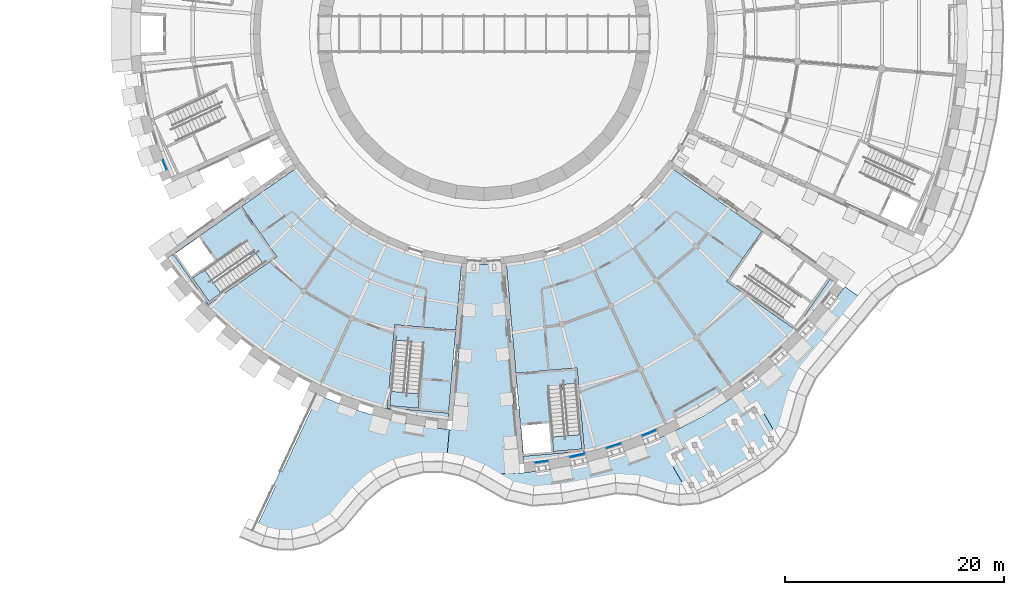
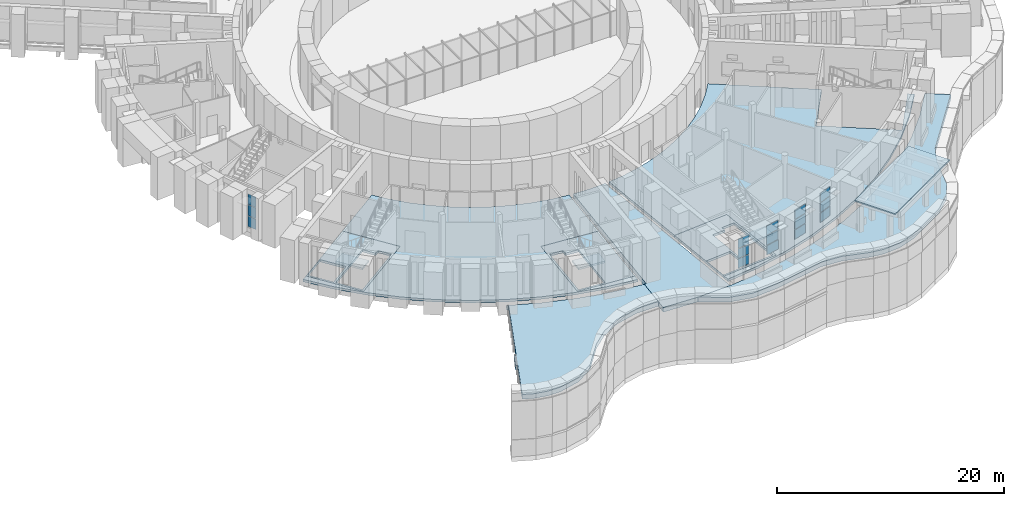
# One storey, part 32 of 85: 15 plates, 12 slabs, 8 elements without a shape of their own.
"""IFC4 building model written with IfcOpenShell, lengths in metres."""

import ifcopenshell
import ifcopenshell.guid

model = None  # the IFC model being written
_history = None  # IfcOwnerHistory: only IFC2X3 demands one
_inside = {}  # id of a spatial element -> (the spatial element, [elements in it])
_under = {}  # id of a project, library or spatial element -> (it, [spatial elements below it])
_declared = {}  # id of a project -> (the project, [libraries it declares])
_typed = {}  # id of a type object -> (the type object, [elements of that type])
_made_of = {}  # id of a material, layer set ... -> (it, [elements and type objects made of it])


def new_model(schema):
    """Start an empty IFC model of exactly this schema.

    Asked for "IFC4X3", IfcOpenShell would pick the latest addendum, in which some entities
    have other attributes; the version numbers below select the first issue.
    IFC2X3 requires an IfcOwnerHistory on every rooted entity: one is made here for all.
    """
    global model, _history
    if schema == "IFC4X3":
        model = ifcopenshell.file(schema_version=(4, 3, 0, 0))
    else:
        model = ifcopenshell.file(schema=schema)
    _inside.clear()
    _under.clear()
    _declared.clear()
    _typed.clear()
    _made_of.clear()
    _history = None
    if model.schema == "IFC2X3":
        org = make("IfcOrganization", Name="unknown")
        user = make(
            "IfcPersonAndOrganization",
            ThePerson=make("IfcPerson", FamilyName="unknown"),
            TheOrganization=org,
        )
        app = make(
            "IfcApplication",
            ApplicationDeveloper=org,
            Version="unknown",
            ApplicationFullName="unknown",
            ApplicationIdentifier="unknown",
        )
        _history = make(
            "IfcOwnerHistory",
            OwningUser=user,
            OwningApplication=app,
            ChangeAction="ADDED",
            CreationDate=0,
        )
    return model


def make(cls, **values):
    """One entity of the class cls with the attributes given. An attribute that is None is left unset."""
    return model.create_entity(
        cls, **{name: value for name, value in values.items() if value is not None}
    )


def rooted(cls, **values):
    """An entity with a GlobalId (a new one), such as an element, a storey or a relation."""
    return make(cls, GlobalId=ifcopenshell.guid.new(), OwnerHistory=_history, **values)


def si_unit(unit_type, name, prefix=None):
    """IfcSIUnit, for example si_unit("LENGTHUNIT", "METRE", prefix="MILLI")."""
    return make("IfcSIUnit", UnitType=unit_type, Prefix=prefix, Name=name)


def assignment(units):
    """IfcUnitAssignment: the units of a project."""
    return None if units is None else make("IfcUnitAssignment", Units=units)


def point(xyz):
    """IfcCartesianPoint."""
    return None if xyz is None else make("IfcCartesianPoint", Coordinates=xyz)


def direction(xyz):
    """IfcDirection."""
    return None if xyz is None else make("IfcDirection", DirectionRatios=xyz)


def frame(location, z_axis=None, x_axis=None):
    """IfcAxis2Placement3D, a coordinate frame: its origin and axes. An axis left out is left unset."""
    return make(
        "IfcAxis2Placement3D",
        Location=point(location),
        Axis=direction(z_axis),
        RefDirection=direction(x_axis),
    )


def frame_2d(location, x_axis=None):
    """IfcAxis2Placement2D, a coordinate frame in the plane: its origin and x axis."""
    return make(
        "IfcAxis2Placement2D", Location=point(location), RefDirection=direction(x_axis)
    )


def origin():
    """The frame at (0, 0, 0) with its axes left unset."""
    return frame((0.0, 0.0, 0.0))


def origin_2d():
    """The frame at (0, 0) in the plane with its x axis left unset."""
    return frame_2d((0.0, 0.0))


def place(relative_to, where):
    """IfcLocalPlacement: puts the frame where relative to a parent placement (None: the world)."""
    return make(
        "IfcLocalPlacement", PlacementRelTo=relative_to, RelativePlacement=where
    )


def context(
    kind, dimensions, precision=None, world=None, true_north=None, identifier=None
):
    """IfcGeometricRepresentationContext, for example the 3D "Model" context."""
    return make(
        "IfcGeometricRepresentationContext",
        ContextIdentifier=identifier,
        ContextType=kind,
        CoordinateSpaceDimension=dimensions,
        Precision=precision,
        WorldCoordinateSystem=world,
        TrueNorth=true_north,
    )


def subcontext(parent, identifier, kind, view, scale=None):
    """IfcGeometricRepresentationSubContext, for example "Body" below "Model"."""
    return make(
        "IfcGeometricRepresentationSubContext",
        ContextIdentifier=identifier,
        ContextType=kind,
        ParentContext=parent,
        TargetScale=scale,
        TargetView=view,
    )


def project(units=None, contexts=None):
    """IfcProject with its units and contexts."""
    return rooted(
        "IfcProject",
        Name="project",
        RepresentationContexts=contexts,
        UnitsInContext=assignment(units),
    )


def spatial(cls, under=None, at=None, **own):
    """A site, building, storey or space (cls), placed at a placement, below another one or the project."""
    s = rooted(cls, ObjectPlacement=at, **own)
    if under is not None:
        _under.setdefault(under.id(), (under, []))[1].append(s)
    return s


def polyline(points):
    """IfcPolyline through the points."""
    return make("IfcPolyline", Points=[point(p) for p in points])


def profile(cls, at=None, kind="AREA", **sizes):
    """A parametric profile (cls). Its sizes go by their IFC names, for example OverallWidth=200.0."""
    return make(cls, ProfileType=kind, Position=at, **sizes)


def rectangle(**sizes):
    """IfcRectangleProfileDef."""
    return profile("IfcRectangleProfileDef", **sizes)


def outline(outer, holes=None, kind="AREA"):
    """IfcArbitraryClosedProfileDef: a profile drawn as a closed curve; with holes, ...WithVoids."""
    if holes is None:
        return make("IfcArbitraryClosedProfileDef", ProfileType=kind, OuterCurve=outer)
    return make(
        "IfcArbitraryProfileDefWithVoids",
        ProfileType=kind,
        OuterCurve=outer,
        InnerCurves=holes,
    )


def extrude(swept, where, along, depth):
    """IfcExtrudedAreaSolid: the profile swept, set in the frame where, extruded along a direction by depth."""
    return make(
        "IfcExtrudedAreaSolid",
        SweptArea=swept,
        Position=where,
        ExtrudedDirection=direction(along),
        Depth=depth,
    )


def shape(context_of_items, identifier, shape_type, items):
    """IfcShapeRepresentation: the items that make up one representation, for example the "Body"."""
    return make(
        "IfcShapeRepresentation",
        ContextOfItems=context_of_items,
        RepresentationIdentifier=identifier,
        RepresentationType=shape_type,
        Items=items,
    )


def material(Name=None, Category=None):
    """IfcMaterial."""
    return make("IfcMaterial", Name=Name, Category=Category)


def layer(
    of_material, thickness, ventilated=None, Name=None, Category=None, Priority=None
):
    """IfcMaterialLayer: one layer of a wall or slab, of a material (None: an air gap)."""
    return make(
        "IfcMaterialLayer",
        Material=of_material,
        LayerThickness=thickness,
        IsVentilated=ventilated,
        Name=Name,
        Category=Category,
        Priority=Priority,
    )


def layer_set(layers, Name=None):
    """IfcMaterialLayerSet."""
    return make("IfcMaterialLayerSet", MaterialLayers=layers, LayerSetName=Name)


def made_of(thing, what):
    """Note that an element or type object is made of a material, layer set ...; save() writes the relation."""
    if what is not None:
        _made_of.setdefault(what.id(), (what, []))[1].append(thing)
    return thing


def type_object(cls, material=None, **own):
    """A type object (cls), such as IfcWallType, which elements share."""
    return made_of(rooted(cls, **own), material)


def element(
    cls,
    number,
    at=None,
    inside=None,
    cuts=None,
    type_object=None,
    material=None,
    context=None,
    identifier="Body",
    shape_type=None,
    held_by="IfcProductDefinitionShape",
    body=None,
    shapes=None,
    **own,
):
    """One element of the class cls, such as IfcWall. Its Tag is "e" and its number.

    at: its placement. inside: the storey or other place that contains it. cuts: it is an
    opening in that element (IfcRelVoidsElement). A single representation is given by context,
    identifier, shape_type and body (its items); several are given by shapes. held_by: the class
    of the entity that holds the representations. save() writes the other relations.
    """
    e = rooted(cls, Tag="e%d" % number, ObjectPlacement=at, **own)
    if body is not None:
        shapes = [shape(context, identifier, shape_type, body)]
    if shapes is not None:
        e.Representation = make(held_by, Representations=shapes)
    if inside is not None:
        _inside.setdefault(inside.id(), (inside, []))[1].append(e)
    if cuts is not None:
        rooted(
            "IfcRelVoidsElement", RelatingBuildingElement=cuts, RelatedOpeningElement=e
        )
    if type_object is not None:
        _typed.setdefault(type_object.id(), (type_object, []))[1].append(e)
    return made_of(e, material)


def aggregate(whole, parts):
    """IfcRelAggregates: a whole, such as a stair, and the parts it consists of."""
    return rooted("IfcRelAggregates", RelatingObject=whole, RelatedObjects=parts)


def save(model, path):
    """Write the relations noted so far, then the file.

    IfcRelAggregates (storeys below a building ...), IfcRelContainedInSpatialStructure (elements
    in a storey), IfcRelDefinesByType, IfcRelAssociatesMaterial and IfcRelDeclares: one each for
    every whole, place, type object, material and project.
    """
    for whole, parts in _under.values():
        aggregate(whole, parts)
    for where, things in _inside.values():
        rooted(
            "IfcRelContainedInSpatialStructure",
            RelatedElements=things,
            RelatingStructure=where,
        )
    for kind, things in _typed.values():
        rooted("IfcRelDefinesByType", RelatedObjects=things, RelatingType=kind)
    for what, things in _made_of.values():
        rooted("IfcRelAssociatesMaterial", RelatedObjects=things, RelatingMaterial=what)
    for by, libraries in _declared.values():
        rooted("IfcRelDeclares", RelatingContext=by, RelatedDefinitions=libraries)
    model.write(path)


model = new_model("IFC4")

# Units and contexts
model_context = context("Model", 3, precision=1e-05, world=origin(), true_north=direction((0.0, 1.0)))
body_context = subcontext(model_context, "Body", "Model", "MODEL_VIEW")
ifc_project = project(units=[si_unit("LENGTHUNIT", "METRE"), si_unit("AREAUNIT", "SQUARE_METRE"), si_unit("VOLUMEUNIT", "CUBIC_METRE"), si_unit("PLANEANGLEUNIT", "RADIAN"), si_unit("MASSUNIT", "GRAM", prefix="KILO")], contexts=[model_context])

# Site, building, storey
site_placement = place(None, origin())
site = spatial("IfcSite", under=ifc_project, at=site_placement, CompositionType="ELEMENT")
building_placement = place(site_placement, origin())
building = spatial("IfcBuilding", under=site, at=building_placement, Name="Volute Hill Aquarium", CompositionType="ELEMENT")
storey_placement = place(building_placement, origin())
storey = spatial("IfcBuildingStorey", under=building, at=storey_placement, Name="L01", CompositionType="ELEMENT", Elevation=0.0)

# Slabs
ifc_material_1 = material(Name="Concrete C30/37", Category="concrete")
ifc_layer_1 = layer(ifc_material_1, 0.25)
ifc_layer_set_1 = layer_set([ifc_layer_1], Name="Core floor slab 250")
slab_type_1 = type_object("IfcSlabType", Name="Core floor slab 250", PredefinedType="FLOOR", material=ifc_layer_set_1)
slab_1_placement = place(storey_placement, frame((0.0, 0.0, -0.25)))
element("IfcSlab", 1, at=slab_1_placement, inside=storey, type_object=slab_type_1, Name="cs/S2-A/L01", PredefinedType="FLOOR", context=body_context, shape_type="SweptSolid", body=[
    extrude(outline(polyline([(-22.084228515625, -15.707763671875), (-28.309814453125, -20.06689453125), (-25.097900390625, -24.654296875), (-18.872314453125, -20.294921875), (-22.084228515625, -15.707763671875)]), holes=[polyline([(-24.52490234375, -20.5908203125), (-26.65478515625, -22.08203125), (-28.117431640625, -19.9931640625), (-25.987548828125, -18.501953125), (-24.52490234375, -20.5908203125)]), polyline([(-21.248046875, -20.12744140625), (-20.881103515625, -19.870361328125), (-20.135498046875, -20.935302734375), (-25.048583984375, -24.37548828125), (-26.5400390625, -22.245849609375), (-21.99365234375, -19.0625), (-21.248046875, -20.12744140625)])]), origin(), (0.0, 0.0, 1.0), 0.25),
])
slab_2_placement = place(storey_placement, frame((0.0, 0.0, -0.25)))
element("IfcSlab", 2, at=slab_2_placement, inside=storey, type_object=slab_type_1, Name="cs/S2-B/L01", PredefinedType="FLOOR", context=body_context, shape_type="SweptSolid", body=[
    extrude(outline(polyline([(-8.139892578125, -26.491455078125), (-8.80224609375, -34.0625), (-3.223388671875, -34.550537109375), (-2.561279296875, -26.9794921875), (-8.139892578125, -26.491455078125)]), holes=[polyline([(-5.51171875, -28.578369140625), (-5.99560546875, -34.107177734375), (-8.585693359375, -33.880615234375), (-8.062744140625, -27.905517578125), (-6.767822265625, -28.018798828125), (-6.806884765625, -28.465087890625), (-5.51171875, -28.578369140625)])]), origin(), (0.0, 0.0, 1.0), 0.25),
])
slab_3_placement = place(storey_placement, frame((0.0, 0.0, -0.25)))
element("IfcSlab", 3, at=slab_3_placement, inside=storey, type_object=slab_type_1, Name="cs/S3-A/L01", PredefinedType="FLOOR", context=body_context, shape_type="SweptSolid", body=[
    extrude(outline(polyline([(2.905517578125, -30.914306640625), (3.56787109375, -38.485595703125), (9.146484375, -37.997314453125), (8.484130859375, -30.42626953125), (2.905517578125, -30.914306640625)]), holes=[polyline([(5.913818359375, -35.469482421875), (6.140380859375, -38.059814453125), (3.60009765625, -38.281982421875), (3.37353515625, -35.69189453125), (5.913818359375, -35.469482421875)]), polyline([(7.151123046875, -32.39990234375), (7.112060546875, -31.95361328125), (8.406982421875, -31.84033203125), (8.9296875, -37.815673828125), (6.339599609375, -38.042236328125), (5.85595703125, -32.51318359375), (7.151123046875, -32.39990234375)])]), origin(), (0.0, 0.0, 1.0), 0.25),
])

# Curtain wall, plates
ifc_material_2 = material(Name="Aluminium", Category="aluminium")
ifc_layer_2 = layer(ifc_material_2, 0.25)
ifc_layer_set_2 = layer_set([ifc_layer_2], Name="Curtain wall niche S1 module 993")
curtain_wall_type_1 = type_object("IfcCurtainWallType", Name="Curtain wall niche S1 module 993", PredefinedType="NOTDEFINED", material=ifc_layer_set_2)
curtain_wall_1_placement = place(storey_placement, origin())
curtain_wall_1 = element("IfcCurtainWall", 4, at=curtain_wall_1_placement, inside=storey, type_object=curtain_wall_type_1, Name="Curtain wall CW S1 L01 10", PredefinedType="NOTDEFINED")
ifc_material_3 = material(Name="Glass, low-iron laminated", Category="glass")
ifc_layer_3 = layer(ifc_material_3, 0.028076171875)
ifc_layer_set_3 = layer_set([ifc_layer_3], Name="Curtain wall glass panel S1 28")
plate_type_1 = type_object("IfcPlateType", Name="Curtain wall glass panel S1 28", PredefinedType="CURTAIN_PANEL", material=ifc_layer_set_3)
plate_1_placement = place(storey_placement, frame((-29.08935546875, -11.94091796875, 0.5), z_axis=(0.0, 0.0, 1.0), x_axis=(0.382669702059, -0.923885219671, 0.0)))
plate_1 = element("IfcPlate", 5, at=plate_1_placement, type_object=plate_type_1, Name="CW panel 1.1", PredefinedType="CURTAIN_PANEL", context=body_context, shape_type="SweptSolid", body=[
    extrude(rectangle(XDim=0.892822265625, YDim=0.028076171875, at=origin_2d()), origin(), (0.0, 0.0, 1.0), 1.125),
])
plate_2_placement = place(storey_placement, frame((-29.08935546875, -11.94091796875, 1.675048828125), z_axis=(0.0, 0.0, 1.0), x_axis=(0.382669702059, -0.923885219671, 0.0)))
plate_2 = element("IfcPlate", 6, at=plate_2_placement, type_object=plate_type_1, Name="CW panel 1.2", PredefinedType="CURTAIN_PANEL", context=body_context, shape_type="SweptSolid", body=[
    extrude(rectangle(XDim=0.892822265625, YDim=0.028076171875, at=origin_2d()), origin(), (0.0, 0.0, 1.0), 1.14990234375),
])
plate_3_placement = place(storey_placement, frame((-29.08935546875, -11.94091796875, 2.875), z_axis=(0.0, 0.0, 1.0), x_axis=(0.382669702059, -0.923885219671, 0.0)))
plate_3 = element("IfcPlate", 7, at=plate_3_placement, type_object=plate_type_1, Name="CW panel 1.3", PredefinedType="CURTAIN_PANEL", context=body_context, shape_type="SweptSolid", body=[
    extrude(rectangle(XDim=0.892822265625, YDim=0.028076171875, at=origin_2d()), origin(), (0.0, 0.0, 1.0), 1.125),
])
aggregate(curtain_wall_1, [plate_1, plate_2, plate_3])

ifc_material_4 = material(Name="Aluminium", Category="aluminium")
ifc_layer_4 = layer(ifc_material_4, 0.25)
ifc_layer_set_4 = layer_set([ifc_layer_4], Name="Curtain wall niche S3 module 1289")
curtain_wall_type_2 = type_object("IfcCurtainWallType", Name="Curtain wall niche S3 module 1289", PredefinedType="NOTDEFINED", material=ifc_layer_set_4)
curtain_wall_2_placement = place(storey_placement, origin())
curtain_wall_2 = element("IfcCurtainWall", 8, at=curtain_wall_2_placement, inside=storey, type_object=curtain_wall_type_2, Name="Curtain wall CW S3 L01 1", PredefinedType="NOTDEFINED")
ifc_material_5 = material(Name="Glass, low-iron laminated", Category="glass")
ifc_layer_5 = layer(ifc_material_5, 0.028076171875)
ifc_layer_set_5 = layer_set([ifc_layer_5], Name="Curtain wall glass panel S3 28")
plate_type_2 = type_object("IfcPlateType", Name="Curtain wall glass panel S3 28", PredefinedType="CURTAIN_PANEL", material=ifc_layer_set_5)
plate_4_placement = place(storey_placement, frame((5.23388671875, -38.987548828125, 0.81005859375), z_axis=(0.0, 0.0, 1.0), x_axis=(0.991447455432, 0.130506486875, 0.0)))
plate_4 = element("IfcPlate", 9, at=plate_4_placement, type_object=plate_type_2, Name="CW panel 1.1", PredefinedType="CURTAIN_PANEL", context=body_context, shape_type="SweptSolid", body=[
    extrude(rectangle(XDim=1.1689453125, YDim=0.028076171875, at=origin_2d()), origin(), (0.0, 0.0, 1.0), 0.993408203125),
])
plate_5_placement = place(storey_placement, frame((5.23388671875, -38.987548828125, 1.86328125), z_axis=(0.0, 0.0, 1.0), x_axis=(0.991447455432, 0.130506486875, 0.0)))
plate_5 = element("IfcPlate", 10, at=plate_5_placement, type_object=plate_type_2, Name="CW panel 1.2", PredefinedType="CURTAIN_PANEL", context=body_context, shape_type="SweptSolid", body=[
    extrude(rectangle(XDim=1.1689453125, YDim=0.028076171875, at=origin_2d()), origin(), (0.0, 0.0, 1.0), 1.0234375),
])
plate_6_placement = place(storey_placement, frame((5.23388671875, -38.987548828125, 2.94677734375), z_axis=(0.0, 0.0, 1.0), x_axis=(0.991447455432, 0.130506486875, 0.0)))
plate_6 = element("IfcPlate", 11, at=plate_6_placement, type_object=plate_type_2, Name="CW panel 1.3", PredefinedType="CURTAIN_PANEL", context=body_context, shape_type="SweptSolid", body=[
    extrude(rectangle(XDim=1.1689453125, YDim=0.028076171875, at=origin_2d()), origin(), (0.0, 0.0, 1.0), 0.993408203125),
])
aggregate(curtain_wall_2, [plate_4, plate_5, plate_6])

ifc_material_6 = material(Name="Aluminium", Category="aluminium")
ifc_layer_6 = layer(ifc_material_6, 0.25)
ifc_layer_set_6 = layer_set([ifc_layer_6], Name="Curtain wall niche S3 module 1489")
curtain_wall_type_3 = type_object("IfcCurtainWallType", Name="Curtain wall niche S3 module 1489", PredefinedType="NOTDEFINED", material=ifc_layer_set_6)
curtain_wall_3_placement = place(storey_placement, origin())
curtain_wall_3 = element("IfcCurtainWall", 12, at=curtain_wall_3_placement, inside=storey, type_object=curtain_wall_type_3, Name="Curtain wall CW S3 L01 2", PredefinedType="NOTDEFINED")
plate_7_placement = place(storey_placement, frame((8.51416015625, -38.40478515625, 1.86328125), z_axis=(0.0, 0.0, 1.0), x_axis=(0.976298320472, 0.216429178819, 0.0)))
plate_7 = element("IfcPlate", 13, at=plate_7_placement, type_object=plate_type_2, Name="CW panel 1.2", PredefinedType="CURTAIN_PANEL", context=body_context, shape_type="SweptSolid", body=[
    extrude(rectangle(XDim=1.369140625, YDim=0.028076171875, at=origin_2d()), origin(), (0.0, 0.0, 1.0), 1.0234375),
])
plate_8_placement = place(storey_placement, frame((8.51416015625, -38.40478515625, 2.94677734375), z_axis=(0.0, 0.0, 1.0), x_axis=(0.976298320472, 0.216429178819, 0.0)))
plate_8 = element("IfcPlate", 14, at=plate_8_placement, type_object=plate_type_2, Name="CW panel 1.3", PredefinedType="CURTAIN_PANEL", context=body_context, shape_type="SweptSolid", body=[
    extrude(rectangle(XDim=1.369140625, YDim=0.028076171875, at=origin_2d()), origin(), (0.0, 0.0, 1.0), 0.993408203125),
])

curtain_wall_4_placement = place(storey_placement, origin())
curtain_wall_4 = element("IfcCurtainWall", 15, at=curtain_wall_4_placement, inside=storey, type_object=curtain_wall_type_3, Name="Curtain wall CW S3 L01 3", PredefinedType="NOTDEFINED")
plate_9_placement = place(storey_placement, frame((11.828857421875, -37.5166015625, 0.81005859375), z_axis=(0.0, 0.0, 1.0), x_axis=(0.953714807337, 0.300712597453, 0.0)))
plate_9 = element("IfcPlate", 16, at=plate_9_placement, type_object=plate_type_2, Name="CW panel 1.1", PredefinedType="CURTAIN_PANEL", context=body_context, shape_type="SweptSolid", body=[
    extrude(rectangle(XDim=1.369140625, YDim=0.028076171875, at=origin_2d()), origin(), (0.0, 0.0, 1.0), 0.993408203125),
])
plate_10_placement = place(storey_placement, frame((11.828857421875, -37.5166015625, 1.86328125), z_axis=(0.0, 0.0, 1.0), x_axis=(0.953714807337, 0.300712597453, 0.0)))
plate_10 = element("IfcPlate", 17, at=plate_10_placement, type_object=plate_type_2, Name="CW panel 1.2", PredefinedType="CURTAIN_PANEL", context=body_context, shape_type="SweptSolid", body=[
    extrude(rectangle(XDim=1.369140625, YDim=0.028076171875, at=origin_2d()), origin(), (0.0, 0.0, 1.0), 1.0234375),
])
plate_11_placement = place(storey_placement, frame((11.828857421875, -37.5166015625, 2.94677734375), z_axis=(0.0, 0.0, 1.0), x_axis=(0.953714807337, 0.300712597453, 0.0)))
plate_11 = element("IfcPlate", 18, at=plate_11_placement, type_object=plate_type_2, Name="CW panel 1.3", PredefinedType="CURTAIN_PANEL", context=body_context, shape_type="SweptSolid", body=[
    extrude(rectangle(XDim=1.369140625, YDim=0.028076171875, at=origin_2d()), origin(), (0.0, 0.0, 1.0), 0.993408203125),
])
aggregate(curtain_wall_4, [plate_9, plate_10, plate_11])

curtain_wall_5_placement = place(storey_placement, origin())
curtain_wall_5 = element("IfcCurtainWall", 19, at=curtain_wall_5_placement, inside=storey, type_object=curtain_wall_type_3, Name="Curtain wall CW S3 L01 4", PredefinedType="NOTDEFINED")
plate_12_placement = place(storey_placement, frame((15.0537109375, -36.3427734375, 1.86328125), z_axis=(0.0, 0.0, 1.0), x_axis=(0.923875737316, 0.382692594649, 0.0)))
plate_12 = element("IfcPlate", 20, at=plate_12_placement, type_object=plate_type_2, Name="CW panel 1.2", PredefinedType="CURTAIN_PANEL", context=body_context, shape_type="SweptSolid", body=[
    extrude(rectangle(XDim=1.369140625, YDim=0.028076171875, at=origin_2d()), origin(), (0.0, 0.0, 1.0), 1.0234375),
])
plate_13_placement = place(storey_placement, frame((15.0537109375, -36.3427734375, 2.94677734375), z_axis=(0.0, 0.0, 1.0), x_axis=(0.923875737316, 0.382692594649, 0.0)))
plate_13 = element("IfcPlate", 21, at=plate_13_placement, type_object=plate_type_2, Name="CW panel 1.3", PredefinedType="CURTAIN_PANEL", context=body_context, shape_type="SweptSolid", body=[
    extrude(rectangle(XDim=1.369140625, YDim=0.028076171875, at=origin_2d()), origin(), (0.0, 0.0, 1.0), 0.993408203125),
])

# Plate
ifc_material_7 = material(Name="Aluminium", Category="aluminium")
ifc_layer_7 = layer(ifc_material_7, 0.06005859375)
ifc_layer_set_7 = layer_set([ifc_layer_7], Name="Curtain wall insulated spandrel panel 60")
plate_type_3 = type_object("IfcPlateType", Name="Curtain wall insulated spandrel panel 60", PredefinedType="CURTAIN_PANEL", material=ifc_layer_set_7)
plate_14_placement = place(storey_placement, frame((8.51416015625, -38.40478515625, 0.81005859375), z_axis=(0.0, 0.0, 1.0), x_axis=(0.976298320472, 0.216429178819, 0.0)))
plate_14 = element("IfcPlate", 22, at=plate_14_placement, type_object=plate_type_3, Name="CW panel 1.1", PredefinedType="CURTAIN_PANEL", context=body_context, shape_type="SweptSolid", body=[
    extrude(rectangle(XDim=1.369140625, YDim=0.06005859375, at=origin_2d()), origin(), (0.0, 0.0, 1.0), 0.993408203125),
])

aggregate(curtain_wall_3, [plate_14, plate_7, plate_8])

plate_15_placement = place(storey_placement, frame((15.0537109375, -36.3427734375, 0.81005859375), z_axis=(0.0, 0.0, 1.0), x_axis=(0.923875737316, 0.382692594649, 0.0)))
plate_15 = element("IfcPlate", 23, at=plate_15_placement, type_object=plate_type_3, Name="CW panel 1.1", PredefinedType="CURTAIN_PANEL", context=body_context, shape_type="SweptSolid", body=[
    extrude(rectangle(XDim=1.369140625, YDim=0.06005859375, at=origin_2d()), origin(), (0.0, 0.0, 1.0), 0.993408203125),
])

aggregate(curtain_wall_5, [plate_15, plate_12, plate_13])

# Slabs
ifc_material_8 = material(Name="Concrete C35/45", Category="concrete")
ifc_layer_8 = layer(ifc_material_8, 0.260009765625)
ifc_layer_set_8 = layer_set([ifc_layer_8], Name="Floor slab 260 C35/45")
slab_type_2 = type_object("IfcSlabType", Name="Floor slab 260 C35/45", PredefinedType="FLOOR", material=ifc_layer_set_8)
slab_4_placement = place(storey_placement, frame((0.0, 0.0, -0.260009765625)))
element("IfcSlab", 24, at=slab_4_placement, inside=storey, type_object=slab_type_2, Name="fl/S2/L01/1", PredefinedType="FLOOR", context=body_context, shape_type="SweptSolid", body=[
    extrude(outline(polyline([(-6.1298828125, -34.763671875), (-9.13623046875, -34.09716796875), (-12.0732421875, -33.171142578125), (-14.91845703125, -31.99267578125), (-17.64990234375, -30.57080078125), (-20.247314453125, -28.916015625), (-22.6904296875, -27.04150390625), (-24.9609375, -24.9609375), (-27.04150390625, -22.6904296875), (-28.794189453125, -20.406005859375), (-28.309814453125, -20.06689453125), (-25.097900390625, -24.654296875), (-18.872314453125, -20.294921875), (-22.084228515625, -15.707763671875), (-24.95947265625, -17.720947265625), (-17.080322265625, -12.203857421875), (-16.0869140625, -13.49853515625), (-14.84912109375, -14.84912109375), (-13.49853515625, -16.0869140625), (-12.045166015625, -17.2021484375), (-10.5, -18.1865234375), (-8.875, -19.032470703125), (-7.182373046875, -19.7333984375), (-5.435302734375, -20.284423828125), (-3.646484375, -20.680908203125), (-2.02880859375, -20.89404296875), (-2.9052734375, -30.913330078125), (-2.561279296875, -26.9794921875), (-8.139892578125, -26.491455078125), (-8.80224609375, -34.0625), (-3.223388671875, -34.550537109375), (-3.275146484375, -35.1396484375), (-6.1298828125, -34.763671875)])), origin(), (0.0, 0.0, 1.0), 0.260009765625),
])
ifc_material_9 = material(Name="Concrete C35/45", Category="concrete")
ifc_layer_9 = layer(ifc_material_9, 0.27001953125)
ifc_layer_set_9 = layer_set([ifc_layer_9], Name="Floor slab 270 C35/45")
slab_type_3 = type_object("IfcSlabType", Name="Floor slab 270 C35/45", PredefinedType="FLOOR", material=ifc_layer_set_9)
slab_5_placement = place(storey_placement, frame((0.0, 0.0, -0.27001953125)))
element("IfcSlab", 25, at=slab_5_placement, inside=storey, type_object=slab_type_3, Name="fl/S3/L01/1", PredefinedType="FLOOR", context=body_context, shape_type="SweptSolid", body=[
    extrude(outline(polyline([(30.067138671875, -25.2294921875), (27.75390625, -27.75390625), (25.2294921875, -30.067138671875), (22.512939453125, -32.151611328125), (19.625, -33.991455078125), (16.587890625, -35.572509765625), (13.42431640625, -36.8828125), (10.15869140625, -37.91259765625), (6.815673828125, -38.65380859375), (3.619384765625, -39.074462890625), (3.56787109375, -38.485595703125), (9.146484375, -37.997314453125), (8.484130859375, -30.42626953125), (2.905517578125, -30.914306640625), (2.02880859375, -20.89404296875), (3.646484375, -20.680908203125), (5.435302734375, -20.284423828125), (7.182373046875, -19.7333984375), (8.875, -19.032470703125), (10.5, -18.1865234375), (12.045166015625, -17.2021484375), (13.49853515625, -16.0869140625), (14.84912109375, -14.84912109375), (16.0869140625, -13.49853515625), (17.080322265625, -12.203857421875), (25.320068359375, -17.973388671875), (22.10791015625, -22.560546875), (28.33349609375, -26.919921875), (31.54541015625, -22.33251953125), (26.370849609375, -18.709228515625), (32.02978515625, -22.671630859375), (30.067138671875, -25.2294921875)])), origin(), (0.0, 0.0, 1.0), 0.27001953125),
])
ifc_material_10 = material(Name="Concrete C35/45", Category="concrete")
ifc_layer_10 = layer(ifc_material_10, 0.139892578125)
ifc_layer_set_10 = layer_set([ifc_layer_10], Name="Group canopy slab C35/45 140")
slab_type_4 = type_object("IfcSlabType", Name="Group canopy slab C35/45 140", PredefinedType="ROOF", material=ifc_layer_set_10)
slab_6_placement = place(storey_placement, frame((0.0, 0.0, 3.4599609375)))
element("IfcSlab", 26, at=slab_6_placement, inside=storey, type_object=slab_type_4, Name="cn/S3/L01/slab", PredefinedType="ROOF", context=body_context, shape_type="SweptSolid", body=[
    extrude(outline(polyline([(16.7431640625, -38.599853515625), (18.818115234375, -42.19384765625), (27.1318359375, -37.393798828125), (25.056884765625, -33.7998046875), (16.7431640625, -38.599853515625)])), origin(), (0.0, 0.0, 1.0), 0.14013671875),
])
ifc_material_11 = material(Name="Concrete C30/37", Category="concrete")
ifc_layer_11 = layer(ifc_material_11, 0.5)
ifc_layer_set_11 = layer_set([ifc_layer_11], Name="Site paving build-up C30/37 500")
slab_type_5 = type_object("IfcSlabType", Name="Site paving build-up C30/37 500", PredefinedType="BASESLAB", material=ifc_layer_set_11)
slab_7_placement = place(storey_placement, frame((0.0, 0.0, -0.5)))
element("IfcSlab", 27, at=slab_7_placement, inside=storey, type_object=slab_type_5, Name="pv/SC3/L01/0", PredefinedType="BASESLAB", context=body_context, shape_type="SweptSolid", body=[
    extrude(outline(polyline([(-3.155029296875, -36.062255859375), (-3.499267578125, -39.997314453125), (0.0, -40.14990234375), (3.29931640625, -40.005859375), (1.63037109375, -20.9287109375), (0.0, -21.0), (-1.63037109375, -20.9287109375), (-2.955810546875, -36.07958984375), (-3.155029296875, -36.062255859375)])), origin(), (0.0, 0.0, 1.0), 0.5),
])
slab_8_placement = place(storey_placement, frame((0.0, 0.0, -0.5)))
element("IfcSlab", 28, at=slab_8_placement, inside=storey, type_object=slab_type_5, Name="pv/UP/L01/1", PredefinedType="BASESLAB", context=body_context, shape_type="SweptSolid", body=[
    extrude(outline(polyline([(-5.601318359375, -38.979736328125), (-3.760498046875, -38.968994140625), (-3.415283203125, -39.0361328125), (-3.155029296875, -36.062255859375), (-6.2861328125, -35.64990234375), (-9.369140625, -34.966552734375), (-12.381103515625, -34.016845703125), (-15.298828125, -32.808349609375), (-15.117431640625, -32.892822265625), (-18.388427734375, -39.90771484375), (-18.56982421875, -39.8232421875), (-19.203857421875, -41.1826171875), (-19.0224609375, -41.26708984375), (-20.92431640625, -45.345947265625), (-19.989013671875, -45.752197265625), (-18.7138671875, -46.025390625), (-17.4462890625, -46.04833984375), (-15.299560546875, -45.52490234375), (-13.457275390625, -44.36767578125), (-11.387451171875, -41.89794921875), (-9.818115234375, -40.53466796875), (-7.929931640625, -39.54150390625), (-5.601318359375, -38.979736328125)])), origin(), (0.0, 0.0, 1.0), 0.5),
])
slab_9_placement = place(storey_placement, frame((0.0, 0.0, -0.5)))
element("IfcSlab", 29, at=slab_9_placement, inside=storey, type_object=slab_type_5, Name="pv/UP/L01/2", PredefinedType="BASESLAB", context=body_context, shape_type="SweptSolid", body=[
    extrude(outline(polyline([(28.524169921875, -32.722412109375), (29.423095703125, -30.859619140625), (34.7744140625, -24.349365234375), (32.888916015625, -23.029052734375), (30.756591796875, -25.807861328125), (28.390380859375, -28.390380859375), (25.807861328125, -30.756591796875), (23.029052734375, -32.888916015625), (20.074951171875, -34.77099609375), (16.968017578125, -36.38818359375), (13.732177734375, -37.728759765625), (10.3916015625, -38.781982421875), (6.971923828125, -39.5400390625), (3.499267578125, -39.997314453125), (0.0, -40.14990234375), (-0.062744140625, -40.147216796875), (2.35791015625, -41.561767578125), (4.484375, -42.0400390625), (7.07421875, -41.83447265625), (11.997314453125, -40.91015625), (14.0888671875, -41.063720703125), (16.51611328125, -41.783935546875), (17.80029296875, -41.968505859375), (19.530517578125, -41.830810546875), (21.189208984375, -41.256591796875), (25.118408203125, -38.988037109375), (26.750244140625, -37.47998046875), (27.61669921875, -36.030517578125), (28.524169921875, -32.722412109375)])), origin(), (0.0, 0.0, 1.0), 0.5),
])

# Stair, slab
ifc_material_12 = material(Name="Concrete C35/45", Category="concrete")
stair_type = type_object("IfcStairType", Name="Stair C35/45", PredefinedType="HALF_TURN_STAIR", material=ifc_material_12)
stair_1_placement = place(storey_placement, origin())
stair_1 = element("IfcStair", 30, at=stair_1_placement, inside=storey, type_object=stair_type, Name="ST/S2-A/L01", PredefinedType="HALF_TURN_STAIR")
ifc_material_13 = material(Name="Concrete C35/45", Category="concrete")
ifc_layer_12 = layer(ifc_material_13, 0.199951171875)
ifc_layer_set_12 = layer_set([ifc_layer_12], Name="Stair landing C35/45 200")
slab_type_6 = type_object("IfcSlabType", Name="Stair landing C35/45 200", PredefinedType="LANDING", material=ifc_layer_set_12)
slab_10_placement = place(storey_placement, frame((0.0, 0.0, 2.10009765625)))
slab_10 = element("IfcSlab", 31, at=slab_10_placement, type_object=slab_type_6, Name="ST-S2-A-01 landing 1", PredefinedType="LANDING", context=body_context, shape_type="SweptSolid", body=[
    extrude(outline(polyline([(-25.45703125, -21.487548828125), (-26.5400390625, -22.245849609375), (-25.048583984375, -24.37548828125), (-23.9658203125, -23.617431640625), (-25.45703125, -21.487548828125)])), origin(), (0.0, 0.0, 1.0), 0.199951171875),
])
aggregate(stair_1, [slab_10])

stair_2_placement = place(storey_placement, origin())
stair_2 = element("IfcStair", 32, at=stair_2_placement, inside=storey, type_object=stair_type, Name="ST/S2-B/L01", PredefinedType="HALF_TURN_STAIR")
slab_11_placement = place(storey_placement, frame((0.0, 0.0, 2.10009765625)))
slab_11 = element("IfcSlab", 33, at=slab_11_placement, type_object=slab_type_6, Name="ST-S2-B-01 landing 1", PredefinedType="LANDING", context=body_context, shape_type="SweptSolid", body=[
    extrude(outline(polyline([(-8.47021484375, -32.563720703125), (-8.585693359375, -33.880615234375), (-5.99560546875, -34.107177734375), (-5.880126953125, -32.790283203125), (-8.47021484375, -32.563720703125)])), origin(), (0.0, 0.0, 1.0), 0.199951171875),
])
aggregate(stair_2, [slab_11])

stair_3_placement = place(storey_placement, origin())
stair_3 = element("IfcStair", 34, at=stair_3_placement, inside=storey, type_object=stair_type, Name="ST/S3-A/L01", PredefinedType="HALF_TURN_STAIR")
slab_12_placement = place(storey_placement, frame((0.0, 0.0, 2.10009765625)))
slab_12 = element("IfcSlab", 35, at=slab_12_placement, type_object=slab_type_6, Name="ST-S3-A-01 landing 1", PredefinedType="LANDING", context=body_context, shape_type="SweptSolid", body=[
    extrude(outline(polyline([(6.224609375, -36.72509765625), (6.339599609375, -38.042236328125), (8.9296875, -37.815673828125), (8.814697265625, -36.49853515625), (6.224609375, -36.72509765625)])), origin(), (0.0, 0.0, 1.0), 0.199951171875),
])
aggregate(stair_3, [slab_12])

save(model, "model.ifc")
